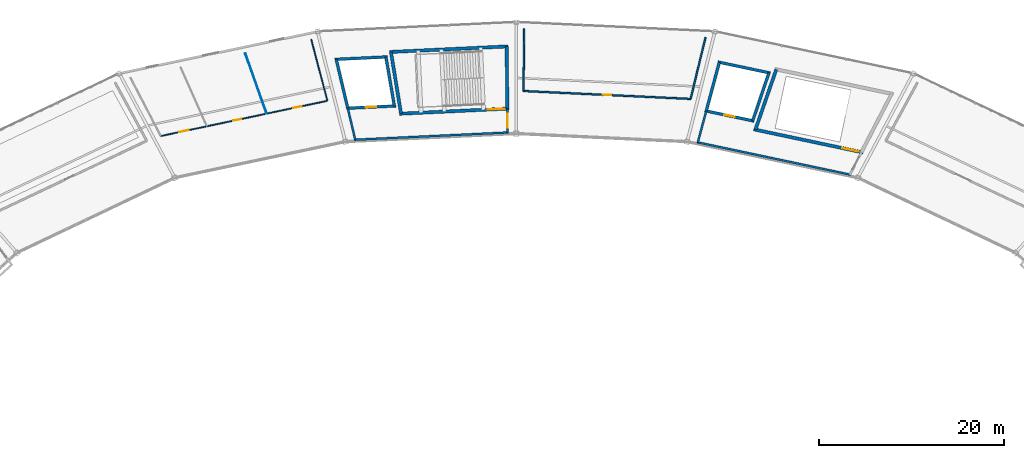
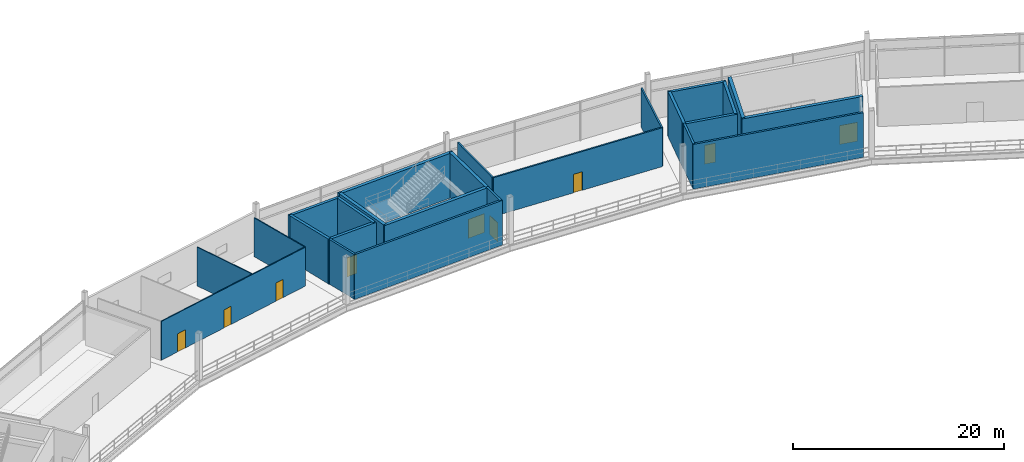
# One storey, part 77 of 103: 25 walls, 9 doors, 9 openings.
"""IFC4 building model written with IfcOpenShell, lengths in metres."""

from ifc_helpers import new_model, si_unit, direction, frame, frame_2d, origin, place, context, subcontext, project, spatial, rectangle, extrude, material, layer, layer_set, type_object, element, fill, save


model = new_model("IFC4")

# Units and contexts
model_context = context("Model", 3, precision=1e-05, world=origin(), true_north=direction((0.0, 1.0)))
body_context = subcontext(model_context, "Body", "Model", "MODEL_VIEW")
ifc_project = project(units=[si_unit("LENGTHUNIT", "METRE"), si_unit("AREAUNIT", "SQUARE_METRE"), si_unit("VOLUMEUNIT", "CUBIC_METRE"), si_unit("PLANEANGLEUNIT", "RADIAN"), si_unit("MASSUNIT", "GRAM", prefix="KILO")], contexts=[model_context])

# Site, building, storey
site_placement = place(None, origin())
site = spatial("IfcSite", under=ifc_project, at=site_placement, CompositionType="ELEMENT")
building_placement = place(site_placement, origin())
building = spatial("IfcBuilding", under=site, at=building_placement, Name="Kazemori Nagisa Stadium", CompositionType="ELEMENT")
storey_placement = place(building_placement, frame((0.0, 0.0, 25.840087890625)))
storey = spatial("IfcBuildingStorey", under=building, at=storey_placement, Name="L05", CompositionType="ELEMENT", Elevation=25.840087890625)

# Wall, opening, door
ifc_material_1 = material(Name="Concrete C40/50 (Fc42)", Category="concrete")
ifc_layer_1 = layer(ifc_material_1, 0.35009765625, Name="Concrete C40/50 (Fc42)", Category="concrete")
ifc_layer_set_1 = layer_set([ifc_layer_1], Name="Concrete C40/50 (Fc42)")
wall_type_1 = type_object("IfcWallType", Name="Wall_W-CORE-350", PredefinedType="SHEAR", material=ifc_layer_set_1)
wall_1_placement = place(storey_placement, frame((160.399658203125, 173.939697265625, 0.0), z_axis=(0.0, 0.0, 1.0), x_axis=(-0.978345203961, 0.206979858648, 0.0)))
wall_1 = element("IfcWall", 1, at=wall_1_placement, inside=storey, type_object=wall_type_1, Name="Core stair front shear wall ST11 L05", PredefinedType="SHEAR", context=body_context, shape_type="SweptSolid", body=[
    extrude(rectangle(XDim=12.044189453125, YDim=0.35009765625, at=frame_2d((6.02197265625, 0.0))), origin(), (0.0, 0.0, 1.0), 5.179931640625),
])
opening_1_placement = place(wall_1_placement, frame((0.47509765625, 0.0, 0.0)))
opening_1 = element("IfcOpeningElement", 2, at=opening_1_placement, cuts=wall_1, Name="Opening D-ST-1800", PredefinedType="OPENING", context=body_context, shape_type="SweptSolid", body=[
    extrude(rectangle(XDim=1.800048828125, YDim=2.199951171875, at=frame_2d((0.89990234375, 1.10009765625))), frame((0.0, 0.18505859375, 0.0), z_axis=(0.0, -1.0, 0.0), x_axis=(1.0, 0.0, 0.0)), (0.0, 0.0, 1.0), 0.3701171875),
])
ifc_material_2 = material(Name="Galvanised steel sheet", Category="steel")
door_type_1 = type_object("IfcDoorType", Name="Door_D-ST-1800", OperationType="NOTDEFINED", PredefinedType="DOOR", material=ifc_material_2)
door_1_placement = place(opening_1_placement, frame((1.800048828125, 0.0, 0.0), z_axis=(0.0, 0.0, 1.0), x_axis=(-1.0, 0.0, 0.0)))
door_1 = element("IfcDoor", 3, at=door_1_placement, inside=storey, type_object=door_type_1, Name="Exit stair fire door ST11-L05", OperationType="SINGLE_SWING_LEFT", OverallHeight=2.199951171875, OverallWidth=1.800048828125, PredefinedType="DOOR", context=body_context, shape_type="SweptSolid", body=[
    extrude(rectangle(XDim=1.800048828125, YDim=2.199951171875, at=frame_2d((0.89990234375, 1.10009765625))), frame((0.0, 0.02490234375, 0.0), z_axis=(0.0, -1.0, 0.0), x_axis=(1.0, 0.0, 0.0)), (0.0, 0.0, 1.0), 0.050048828125),
])
fill(opening_1, door_1)

# Wall
wall_2_placement = place(storey_placement, frame((148.787353515625, 176.396240234375, 0.0), z_axis=(0.0, 0.0, 1.0), x_axis=(0.327491724385, 0.944854047173, 0.0)))
element("IfcWall", 4, at=wall_2_placement, inside=storey, type_object=wall_type_1, Name="Core stair right shear wall ST11 L05", PredefinedType="SHEAR", context=body_context, shape_type="SweptSolid", body=[
    extrude(rectangle(XDim=6.88525390625, YDim=0.35009765625, at=frame_2d((3.442626953125, 0.0))), origin(), (0.0, 0.0, 1.0), 5.179931640625),
])

# Wall, opening, door
wall_3_placement = place(storey_placement, frame((122.218994140625, 178.675048828125, 0.0), z_axis=(0.0, 0.0, 1.0), x_axis=(-0.998883770468, -0.04723571843, 0.0)))
wall_3 = element("IfcWall", 5, at=wall_3_placement, inside=storey, type_object=wall_type_1, Name="Core stair front shear wall ST05 L05", PredefinedType="SHEAR", context=body_context, shape_type="SweptSolid", body=[
    extrude(rectangle(XDim=11.830810546875, YDim=0.35009765625, at=frame_2d((5.91552734375, 0.0))), origin(), (0.0, 0.0, 1.0), 5.179931640625),
])
opening_2_placement = place(wall_3_placement, frame((0.47509765625, 0.0, 0.0)))
opening_2 = element("IfcOpeningElement", 6, at=opening_2_placement, cuts=wall_3, Name="Opening D-ST-1800", PredefinedType="OPENING", context=body_context, shape_type="SweptSolid", body=[
    extrude(rectangle(XDim=1.800048828125, YDim=2.199951171875, at=frame_2d((0.89990234375, 1.10009765625))), frame((0.0, 0.18505859375, 0.0), z_axis=(0.0, -1.0, 0.0), x_axis=(1.0, 0.0, 0.0)), (0.0, 0.0, 1.0), 0.3701171875),
])
door_2_placement = place(opening_2_placement, frame((1.800048828125, 0.0, 0.0), z_axis=(0.0, 0.0, 1.0), x_axis=(-1.0, 0.0, 0.0)))
door_2 = element("IfcDoor", 7, at=door_2_placement, inside=storey, type_object=door_type_1, Name="Exit stair fire door ST05-L05", OperationType="SINGLE_SWING_RIGHT", OverallHeight=2.199951171875, OverallWidth=1.800048828125, PredefinedType="DOOR", context=body_context, shape_type="SweptSolid", body=[
    extrude(rectangle(XDim=1.800048828125, YDim=2.199951171875, at=frame_2d((0.89990234375, 1.10009765625))), frame((0.0, 0.02490234375, 0.0), z_axis=(0.0, -1.0, 0.0), x_axis=(1.0, 0.0, 0.0)), (0.0, 0.0, 1.0), 0.050048828125),
])
fill(opening_2, door_2)

# Walls
wall_4_placement = place(storey_placement, frame((122.135498046875, 185.379150390625, 0.0), z_axis=(0.0, 0.0, 1.0), x_axis=(-0.998884004857, -0.047230761603, 0.0)))
element("IfcWall", 8, at=wall_4_placement, inside=storey, type_object=wall_type_1, Name="Core stair rear shear wall ST05 L05", PredefinedType="SHEAR", context=body_context, shape_type="SweptSolid", body=[
    extrude(rectangle(XDim=12.8349609375, YDim=0.35009765625, at=frame_2d((6.41748046875, 0.0))), origin(), (0.0, 0.0, 1.0), 5.179931640625),
])
wall_5_placement = place(storey_placement, frame((122.04443359375, 178.666748046875, 0.0), z_axis=(0.0, 0.0, 1.0), x_axis=(-0.012489921532, 0.999921997888, 0.0)))
element("IfcWall", 9, at=wall_5_placement, inside=storey, type_object=wall_type_1, Name="Core stair left shear wall ST05 L05", PredefinedType="SHEAR", context=body_context, shape_type="SweptSolid", body=[
    extrude(rectangle(XDim=6.70458984375, YDim=0.35009765625, at=frame_2d((3.352294921875, 0.0))), origin(), (0.0, 0.0, 1.0), 5.179931640625),
])
wall_6_placement = place(storey_placement, frame((110.576171875, 178.12451171875, 0.0), z_axis=(0.0, 0.0, 1.0), x_axis=(-0.161075775241, 0.986942042184, 0.0)))
element("IfcWall", 10, at=wall_6_placement, inside=storey, type_object=wall_type_1, Name="Core stair right shear wall ST05 L05", PredefinedType="SHEAR", context=body_context, shape_type="SweptSolid", body=[
    extrude(rectangle(XDim=6.744873046875, YDim=0.35009765625, at=frame_2d((3.37255859375, 0.0))), origin(), (0.0, 0.0, 1.0), 5.179931640625),
])
ifc_material_3 = material(Name="Concrete C36/45 (Fc36)", Category="concrete")
ifc_layer_2 = layer(ifc_material_3, 0.219970703125, Name="Concrete C36/45 (Fc36)", Category="concrete")
ifc_layer_set_2 = layer_set([ifc_layer_2], Name="Concrete C36/45 (Fc36)")
wall_type_2 = type_object("IfcWallType", Name="Wall_W-LOBBY-220", PredefinedType="SOLIDWALL", material=ifc_layer_set_2)
wall_7_placement = place(storey_placement, frame((159.083984375, 171.5322265625, 0.0), z_axis=(0.0, 0.0, 1.0), x_axis=(-0.978342313718, 0.206993519678, 0.0)))
element("IfcWall", 11, at=wall_7_placement, inside=storey, type_object=wall_type_2, Name="Core lobby fire wall ST11 L05", PredefinedType="SOLIDWALL", context=body_context, shape_type="SweptSolid", body=[
    extrude(rectangle(XDim=16.983154296875, YDim=0.219970703125, at=frame_2d((8.49169921875, 0.0))), origin(), (0.0, 0.0, 1.0), 5.179931640625),
])
wall_8_placement = place(storey_placement, frame((142.576171875, 175.024658203125, 0.0), z_axis=(0.0, 0.0, 1.0), x_axis=(0.258940146037, 0.965893369255, 0.0)))
element("IfcWall", 12, at=wall_8_placement, inside=storey, type_object=wall_type_2, Name="Core lobby right wall ST11 L05", PredefinedType="SOLIDWALL", context=body_context, shape_type="SweptSolid", body=[
    extrude(rectangle(XDim=3.50830078125, YDim=0.219970703125, at=frame_2d((1.754150390625, 0.0))), origin(), (0.0, 0.0, 1.0), 5.179931640625),
])
wall_9_placement = place(storey_placement, frame((122.186279296875, 176.093505859375, 0.0), z_axis=(0.0, 0.0, 1.0), x_axis=(-0.998884242682, -0.047225731555, 0.0)))
element("IfcWall", 13, at=wall_9_placement, inside=storey, type_object=wall_type_2, Name="Core lobby fire wall ST05 L05", PredefinedType="SOLIDWALL", context=body_context, shape_type="SweptSolid", body=[
    extrude(rectangle(XDim=16.67724609375, YDim=0.219970703125, at=frame_2d((8.338623046875, 0.0))), origin(), (0.0, 0.0, 1.0), 5.179931640625),
])

# Wall, opening, door
wall_10_placement = place(storey_placement, frame((122.076416015625, 176.08837890625, 0.0), z_axis=(0.0, 0.0, 1.0), x_axis=(-0.012403174243, 0.999923077676, 0.0)))
wall_10 = element("IfcWall", 14, at=wall_10_placement, inside=storey, type_object=wall_type_2, Name="Core lobby left wall ST05 L05", PredefinedType="SOLIDWALL", context=body_context, shape_type="SweptSolid", body=[
    extrude(rectangle(XDim=2.57861328125, YDim=0.219970703125, at=frame_2d((1.289306640625, 0.0))), origin(), (0.0, 0.0, 1.0), 5.179931640625),
])
opening_3_placement = place(wall_10_placement, frame((0.5390625, 0.0, 0.0)))
opening_3 = element("IfcOpeningElement", 15, at=opening_3_placement, cuts=wall_10, Name="Opening D-FFL-1500", PredefinedType="OPENING", context=body_context, shape_type="SweptSolid", body=[
    extrude(rectangle(XDim=1.5, YDim=2.199951171875, at=frame_2d((0.75, 1.10009765625))), frame((0.0, 0.119873046875, 0.0), z_axis=(0.0, -1.0, 0.0), x_axis=(1.0, 0.0, 0.0)), (0.0, 0.0, 1.0), 0.239990234375),
])
door_type_2 = type_object("IfcDoorType", Name="Door_D-FFL-1500", OperationType="NOTDEFINED", PredefinedType="DOOR", material=ifc_material_2)
door_3_placement = place(opening_3_placement, frame((1.5, 0.0, 0.0), z_axis=(0.0, 0.0, 1.0), x_axis=(-1.0, 0.0, 0.0)))
door_3 = element("IfcDoor", 16, at=door_3_placement, inside=storey, type_object=door_type_2, Name="Protected lobby fire door ST05-L05", OperationType="DOUBLE_DOOR_SINGLE_SWING", OverallHeight=2.199951171875, OverallWidth=1.5, PredefinedType="DOOR", context=body_context, shape_type="SweptSolid", body=[
    extrude(rectangle(XDim=1.5, YDim=2.199951171875, at=frame_2d((0.75, 1.10009765625))), frame((0.0, 0.02490234375, 0.0), z_axis=(0.0, -1.0, 0.0), x_axis=(1.0, 0.0, 0.0)), (0.0, 0.0, 1.0), 0.050048828125),
])
fill(opening_3, door_3)

# Walls
wall_11_placement = place(storey_placement, frame((105.6376953125, 175.31103515625, 0.0), z_axis=(0.0, 0.0, 1.0), x_axis=(-0.230522067539, 0.973067097572, 0.0)))
element("IfcWall", 17, at=wall_11_placement, inside=storey, type_object=wall_type_2, Name="Core lobby right wall ST05 L05", PredefinedType="SOLIDWALL", context=body_context, shape_type="SweptSolid", body=[
    extrude(rectangle(XDim=3.49609375, YDim=0.219970703125, at=frame_2d((1.748046875, 0.0))), origin(), (0.0, 0.0, 1.0), 5.179931640625),
])
ifc_material_4 = material(Name="High-pressure phenolic compact laminate", Category="gypsum")
ifc_layer_3 = layer(ifc_material_4, 0.10009765625, Name="High-pressure phenolic compact laminate", Category="gypsum")
ifc_layer_set_3 = layer_set([ifc_layer_3], Name="High-pressure phenolic compact laminate")
wall_type_3 = type_object("IfcWallType", Name="Wall_W-PART-100", PredefinedType="PARTITIONING", material=ifc_layer_set_3)
wall_12_placement = place(storey_placement, frame((96.090576171875, 178.12841796875, 0.0), z_axis=(0.0, 0.0, 1.0), x_axis=(-0.333300083863, 0.942820796385, 0.0)))
element("IfcWall", 18, at=wall_12_placement, inside=storey, type_object=wall_type_3, Name="Sanitary divider partition L05-B09-1", PredefinedType="PARTITIONING", context=body_context, shape_type="SweptSolid", body=[
    extrude(rectangle(XDim=6.890625, YDim=0.10009765625, at=frame_2d((3.4453125, 0.0))), origin(), (0.0, 0.0, 1.0), 4.5),
])

# Wall, openings, doors
ifc_material_5 = material(Name="Moisture-resistant gypsum board", Category="gypsum")
ifc_layer_4 = layer(ifc_material_5, 0.114990234375, Name="Moisture-resistant gypsum board", Category="gypsum")
ifc_layer_set_4 = layer_set([ifc_layer_4], Name="Moisture-resistant gypsum board")
wall_type_4 = type_object("IfcWallType", Name="Wall_W-PART-115", PredefinedType="PARTITIONING", material=ifc_layer_set_4)
wall_13_placement = place(storey_placement, frame((102.633544921875, 179.5126953125, 0.0), z_axis=(0.0, 0.0, 1.0), x_axis=(-0.978344735835, -0.20698207136, 0.0)))
wall_13 = element("IfcWall", 19, at=wall_13_placement, inside=storey, type_object=wall_type_4, Name="Sanitary block corridor partition L05-B09", PredefinedType="PARTITIONING", context=body_context, shape_type="SweptSolid", body=[
    extrude(rectangle(XDim=18.37353515625, YDim=0.114990234375, at=frame_2d((9.186767578125, 0.0))), origin(), (0.0, 0.0, 1.0), 4.5),
])
opening_4_placement = place(wall_13_placement, frame((2.85693359375, 0.0, 0.0)))
opening_4 = element("IfcOpeningElement", 20, at=opening_4_placement, cuts=wall_13, Name="Opening D-WC-900", PredefinedType="OPENING", context=body_context, shape_type="SweptSolid", body=[
    extrude(rectangle(XDim=0.89990234375, YDim=2.10009765625, at=frame_2d((0.449951171875, 1.050048828125))), frame((0.0, 0.0673828125, 0.0), z_axis=(0.0, -1.0, 0.0), x_axis=(1.0, 0.0, 0.0)), (0.0, 0.0, 1.0), 0.135009765625),
])
opening_5_placement = place(wall_13_placement, frame((9.471923828125, 0.0, 0.0)))
opening_5 = element("IfcOpeningElement", 21, at=opening_5_placement, cuts=wall_13, Name="Opening D-WC-900", PredefinedType="OPENING", context=body_context, shape_type="SweptSolid", body=[
    extrude(rectangle(XDim=0.89990234375, YDim=2.10009765625, at=frame_2d((0.449951171875, 1.050048828125))), frame((0.0, 0.0673828125, 0.0), z_axis=(0.0, -1.0, 0.0), x_axis=(1.0, 0.0, 0.0)), (0.0, 0.0, 1.0), 0.135009765625),
])
opening_6_placement = place(wall_13_placement, frame((15.27587890625, 0.0, 0.0)))
opening_6 = element("IfcOpeningElement", 22, at=opening_6_placement, cuts=wall_13, Name="Opening D-AWC-1050", PredefinedType="OPENING", context=body_context, shape_type="SweptSolid", body=[
    extrude(rectangle(XDim=1.050048828125, YDim=2.10009765625, at=frame_2d((0.52490234375, 1.050048828125))), frame((0.0, 0.0673828125, 0.0), z_axis=(0.0, -1.0, 0.0), x_axis=(1.0, 0.0, 0.0)), (0.0, 0.0, 1.0), 0.135009765625),
])
ifc_material_6 = material(Name="High-pressure laminate on timber core", Category="wood")
door_type_3 = type_object("IfcDoorType", Name="Door_D-AWC-1050", OperationType="NOTDEFINED", PredefinedType="DOOR", material=ifc_material_6)
door_4_placement = place(opening_6_placement, origin())
door_4 = element("IfcDoor", 23, at=door_4_placement, inside=storey, type_object=door_type_3, Name="AWC entrance door L05-B09", OperationType="SINGLE_SWING_RIGHT", OverallHeight=2.10009765625, OverallWidth=1.050048828125, PredefinedType="DOOR", context=body_context, shape_type="SweptSolid", body=[
    extrude(rectangle(XDim=1.050048828125, YDim=2.10009765625, at=frame_2d((0.52490234375, 1.050048828125))), frame((0.0, 0.02490234375, 0.0), z_axis=(0.0, -1.0, 0.0), x_axis=(1.0, 0.0, 0.0)), (0.0, 0.0, 1.0), 0.050048828125),
])
fill(opening_6, door_4)
door_type_4 = type_object("IfcDoorType", Name="Door_D-WC-900", OperationType="NOTDEFINED", PredefinedType="DOOR", material=ifc_material_6)
door_5_placement = place(opening_4_placement, origin())
door_5 = element("IfcDoor", 24, at=door_5_placement, inside=storey, type_object=door_type_4, Name="MWC entrance door L05-B09", OperationType="SINGLE_SWING_RIGHT", OverallHeight=2.10009765625, OverallWidth=0.89990234375, PredefinedType="DOOR", context=body_context, shape_type="SweptSolid", body=[
    extrude(rectangle(XDim=0.89990234375, YDim=2.10009765625, at=frame_2d((0.449951171875, 1.050048828125))), frame((0.0, 0.02490234375, 0.0), z_axis=(0.0, -1.0, 0.0), x_axis=(1.0, 0.0, 0.0)), (0.0, 0.0, 1.0), 0.050048828125),
])
fill(opening_4, door_5)
door_6_placement = place(opening_5_placement, origin())
door_6 = element("IfcDoor", 25, at=door_6_placement, inside=storey, type_object=door_type_4, Name="FWC entrance door L05-B09", OperationType="SINGLE_SWING_LEFT", OverallHeight=2.10009765625, OverallWidth=0.89990234375, PredefinedType="DOOR", context=body_context, shape_type="SweptSolid", body=[
    extrude(rectangle(XDim=0.89990234375, YDim=2.10009765625, at=frame_2d((0.449951171875, 1.050048828125))), frame((0.0, 0.02490234375, 0.0), z_axis=(0.0, -1.0, 0.0), x_axis=(1.0, 0.0, 0.0)), (0.0, 0.0, 1.0), 0.050048828125),
])
fill(opening_5, door_6)

# Wall
wall_14_placement = place(storey_placement, frame((102.633544921875, 179.5126953125, 0.0), z_axis=(0.0, 0.0, 1.0), x_axis=(-0.254126047026, 0.967171108038, 0.0)))
element("IfcWall", 26, at=wall_14_placement, inside=storey, type_object=wall_type_4, Name="Sanitary block L partition L05-B09", PredefinedType="PARTITIONING", context=body_context, shape_type="SweptSolid", body=[
    extrude(rectangle(XDim=6.83935546875, YDim=0.114990234375, at=frame_2d((3.419677734375, 0.0))), origin(), (0.0, 0.0, 1.0), 4.5),
])

# Wall, opening, door
ifc_material_7 = material(Name="Gypsum plasterboard", Category="gypsum")
ifc_layer_5 = layer(ifc_material_7, 0.1650390625, Name="Gypsum plasterboard", Category="gypsum")
ifc_layer_set_5 = layer_set([ifc_layer_5], Name="Gypsum plasterboard")
wall_type_5 = type_object("IfcWallType", Name="Wall_W-PART-165", PredefinedType="PARTITIONING", material=ifc_layer_set_5)
wall_15_placement = place(storey_placement, frame((141.801513671875, 179.715087890625, 0.0), z_axis=(0.0, 0.0, 1.0), x_axis=(-0.998884400119, 0.047222401453, 0.0)))
wall_15 = element("IfcWall", 27, at=wall_15_placement, inside=storey, type_object=wall_type_5, Name="Room corridor partition L05-B07", PredefinedType="PARTITIONING", context=body_context, shape_type="SweptSolid", body=[
    extrude(rectangle(XDim=18.0380859375, YDim=0.1650390625, at=frame_2d((9.01904296875, 0.0))), origin(), (0.0, 0.0, 1.0), 4.5),
])
opening_7_placement = place(wall_15_placement, frame((8.5439453125, 0.0, 0.0)))
opening_7 = element("IfcOpeningElement", 28, at=opening_7_placement, cuts=wall_15, Name="Opening D-OFF-950", PredefinedType="OPENING", context=body_context, shape_type="SweptSolid", body=[
    extrude(rectangle(XDim=0.949951171875, YDim=2.14990234375, at=frame_2d((0.47509765625, 1.074951171875))), frame((0.0, 0.092529296875, 0.0), z_axis=(0.0, -1.0, 0.0), x_axis=(1.0, 0.0, 0.0)), (0.0, 0.0, 1.0), 0.18505859375),
])
ifc_material_8 = material(Name="Oak timber veneer", Category="wood")
door_type_5 = type_object("IfcDoorType", Name="Door_D-OFF-950", OperationType="NOTDEFINED", PredefinedType="DOOR", material=ifc_material_8)
door_7_placement = place(opening_7_placement, origin())
door_7 = element("IfcDoor", 29, at=door_7_placement, inside=storey, type_object=door_type_5, Name="Room entrance door D-OFF-950 L05-B07", OperationType="SINGLE_SWING_LEFT", OverallHeight=2.14990234375, OverallWidth=0.949951171875, PredefinedType="DOOR", context=body_context, shape_type="SweptSolid", body=[
    extrude(rectangle(XDim=0.949951171875, YDim=2.14990234375, at=frame_2d((0.47509765625, 1.074951171875))), frame((0.0, 0.02490234375, 0.0), z_axis=(0.0, -1.0, 0.0), x_axis=(1.0, 0.0, 0.0)), (0.0, 0.0, 1.0), 0.050048828125),
])
fill(opening_7, door_7)

# Walls
wall_16_placement = place(storey_placement, frame((141.801513671875, 179.715087890625, 0.0), z_axis=(0.0, 0.0, 1.0), x_axis=(0.235145319277, 0.971960224918, 0.0)))
element("IfcWall", 30, at=wall_16_placement, inside=storey, type_object=wall_type_5, Name="Room radial partition L05-B07-L", PredefinedType="PARTITIONING", context=body_context, shape_type="SweptSolid", body=[
    extrude(rectangle(XDim=6.823486328125, YDim=0.1650390625, at=frame_2d((3.41162109375, 0.0))), origin(), (0.0, 0.0, 1.0), 4.5),
])
wall_17_placement = place(storey_placement, frame((123.783447265625, 180.56689453125, 0.0), z_axis=(0.0, 0.0, 1.0), x_axis=(0.009976563515, 0.999950232852, 0.0)))
element("IfcWall", 31, at=wall_17_placement, inside=storey, type_object=wall_type_5, Name="Room radial partition L05-B07-R", PredefinedType="PARTITIONING", context=body_context, shape_type="SweptSolid", body=[
    extrude(rectangle(XDim=6.705078125, YDim=0.1650390625, at=frame_2d((3.3525390625, 0.0))), origin(), (0.0, 0.0, 1.0), 4.5),
])

# Wall, opening, door
ifc_layer_6 = layer(ifc_material_1, 0.300048828125, Name="Concrete C40/50 (Fc42)", Category="concrete")
ifc_layer_set_6 = layer_set([ifc_layer_6], Name="Concrete C40/50 (Fc42)")
wall_type_6 = type_object("IfcWallType", Name="Wall_W-SHAFT-300", PredefinedType="SHEAR", material=ifc_layer_set_6)
wall_18_placement = place(storey_placement, frame((148.644775390625, 177.32177734375, 0.0), z_axis=(0.0, 0.0, 1.0), x_axis=(-0.978351630878, 0.206949477793, 0.0)))
wall_18 = element("IfcWall", 32, at=wall_18_placement, inside=storey, type_object=wall_type_6, Name="Lift shaft front wall LP3 L05", PredefinedType="SHEAR", context=body_context, shape_type="SweptSolid", body=[
    extrude(rectangle(XDim=5.42431640625, YDim=0.300048828125, at=frame_2d((2.712158203125, 0.0))), origin(), (0.0, 0.0, 1.0), 5.179931640625),
])
opening_8_placement = place(wall_18_placement, frame((2.162109375, 0.0, 0.0)))
opening_8 = element("IfcOpeningElement", 33, at=opening_8_placement, cuts=wall_18, Name="Opening LD-PAX", PredefinedType="OPENING", context=body_context, shape_type="SweptSolid", body=[
    extrude(rectangle(XDim=1.10009765625, YDim=2.199951171875, at=frame_2d((0.550048828125, 1.10009765625))), frame((0.0, 0.159912109375, 0.0), z_axis=(0.0, -1.0, 0.0), x_axis=(1.0, 0.0, 0.0)), (0.0, 0.0, 1.0), 0.320068359375),
])
ifc_material_9 = material(Name="Stainless steel SUS304", Category="steel")
door_type_6 = type_object("IfcDoorType", Name="Door_LD-PAX", OperationType="SLIDING_TO_RIGHT", PredefinedType="DOOR", material=ifc_material_9)
door_8_placement = place(opening_8_placement, origin())
door_8 = element("IfcDoor", 34, at=door_8_placement, inside=storey, type_object=door_type_6, Name="Lift landing door LP3-L05", OperationType="SLIDING_TO_RIGHT", OverallHeight=2.199951171875, OverallWidth=1.10009765625, PredefinedType="DOOR", context=body_context, shape_type="SweptSolid", body=[
    extrude(rectangle(XDim=1.10009765625, YDim=2.199951171875, at=frame_2d((0.550048828125, 1.10009765625))), frame((0.0, 0.02490234375, 0.0), z_axis=(0.0, -1.0, 0.0), x_axis=(1.0, 0.0, 0.0)), (0.0, 0.0, 1.0), 0.050048828125),
])
fill(opening_8, door_8)

# Walls
wall_19_placement = place(storey_placement, frame((150.3974609375, 182.501220703125, 0.0), z_axis=(0.0, 0.0, 1.0), x_axis=(-0.978347069901, 0.206971038591, 0.0)))
element("IfcWall", 35, at=wall_19_placement, inside=storey, type_object=wall_type_6, Name="Lift shaft B wall LP3 L05", PredefinedType="SHEAR", context=body_context, shape_type="SweptSolid", body=[
    extrude(rectangle(XDim=5.7763671875, YDim=0.300048828125, at=frame_2d((2.88818359375, 0.0))), origin(), (0.0, 0.0, 1.0), 5.179931640625),
])
wall_20_placement = place(storey_placement, frame((148.498046875, 177.352783203125, 0.0), z_axis=(0.0, 0.0, 1.0), x_axis=(0.320537624185, 0.947235784523, 0.0)))
element("IfcWall", 36, at=wall_20_placement, inside=storey, type_object=wall_type_6, Name="Lift shaft L wall LP3 L05", PredefinedType="SHEAR", context=body_context, shape_type="SweptSolid", body=[
    extrude(rectangle(XDim=5.468017578125, YDim=0.300048828125, at=frame_2d((2.73388671875, 0.0))), origin(), (0.0, 0.0, 1.0), 5.179931640625),
])
wall_21_placement = place(storey_placement, frame((143.484619140625, 178.413330078125, 0.0), z_axis=(0.0, 0.0, 1.0), x_axis=(0.258958994481, 0.965888316099, 0.0)))
element("IfcWall", 37, at=wall_21_placement, inside=storey, type_object=wall_type_6, Name="Lift shaft R wall LP3 L05", PredefinedType="SHEAR", context=body_context, shape_type="SweptSolid", body=[
    extrude(rectangle(XDim=5.43798828125, YDim=0.300048828125, at=frame_2d((2.718994140625, 0.0))), origin(), (0.0, 0.0, 1.0), 5.179931640625),
])

# Wall, opening, door
wall_22_placement = place(storey_placement, frame((110.007080078125, 178.95751953125, 0.0), z_axis=(0.0, 0.0, 1.0), x_axis=(-0.998884655258, -0.047217004244, 0.0)))
wall_22 = element("IfcWall", 38, at=wall_22_placement, inside=storey, type_object=wall_type_6, Name="Lift shaft front wall LP1 L05", PredefinedType="SHEAR", context=body_context, shape_type="SweptSolid", body=[
    extrude(rectangle(XDim=5.330810546875, YDim=0.300048828125, at=frame_2d((2.66552734375, 0.0))), origin(), (0.0, 0.0, 1.0), 5.179931640625),
])
opening_9_placement = place(wall_22_placement, frame((2.114990234375, 0.0, 0.0)))
opening_9 = element("IfcOpeningElement", 39, at=opening_9_placement, cuts=wall_22, Name="Opening LD-PAX", PredefinedType="OPENING", context=body_context, shape_type="SweptSolid", body=[
    extrude(rectangle(XDim=1.10009765625, YDim=2.199951171875, at=frame_2d((0.550048828125, 1.10009765625))), frame((0.0, 0.159912109375, 0.0), z_axis=(0.0, -1.0, 0.0), x_axis=(1.0, 0.0, 0.0)), (0.0, 0.0, 1.0), 0.320068359375),
])
door_9_placement = place(opening_9_placement, origin())
door_9 = element("IfcDoor", 40, at=door_9_placement, inside=storey, type_object=door_type_6, Name="Lift landing door LP1-L05", OperationType="SLIDING_TO_RIGHT", OverallHeight=2.199951171875, OverallWidth=1.10009765625, PredefinedType="DOOR", context=body_context, shape_type="SweptSolid", body=[
    extrude(rectangle(XDim=1.10009765625, YDim=2.199951171875, at=frame_2d((0.550048828125, 1.10009765625))), frame((0.0, 0.02490234375, 0.0), z_axis=(0.0, -1.0, 0.0), x_axis=(1.0, 0.0, 0.0)), (0.0, 0.0, 1.0), 0.050048828125),
])
fill(opening_9, door_9)

# Walls
wall_23_placement = place(storey_placement, frame((109.103515625, 184.246826171875, 0.0), z_axis=(0.0, 0.0, 1.0), x_axis=(-0.998884329444, -0.047223896393, 0.0)))
element("IfcWall", 41, at=wall_23_placement, inside=storey, type_object=wall_type_6, Name="Lift shaft B wall LP1 L05", PredefinedType="SHEAR", context=body_context, shape_type="SweptSolid", body=[
    extrude(rectangle(XDim=5.676513671875, YDim=0.300048828125, at=frame_2d((2.83837890625, 0.0))), origin(), (0.0, 0.0, 1.0), 5.179931640625),
])
wall_24_placement = place(storey_placement, frame((109.857177734375, 178.95068359375, 0.0), z_axis=(0.0, 0.0, 1.0), x_axis=(-0.168396746868, 0.985719298606, 0.0)))
element("IfcWall", 42, at=wall_24_placement, inside=storey, type_object=wall_type_6, Name="Lift shaft L wall LP1 L05", PredefinedType="SHEAR", context=body_context, shape_type="SweptSolid", body=[
    extrude(rectangle(XDim=5.36572265625, YDim=0.300048828125, at=frame_2d((2.682861328125, 0.0))), origin(), (0.0, 0.0, 1.0), 5.179931640625),
])
wall_25_placement = place(storey_placement, frame((104.831787109375, 178.712890625, 0.0), z_axis=(0.0, 0.0, 1.0), x_axis=(-0.230452911873, 0.97308347813, 0.0)))
element("IfcWall", 43, at=wall_25_placement, inside=storey, type_object=wall_type_6, Name="Lift shaft R wall LP1 L05", PredefinedType="SHEAR", context=body_context, shape_type="SweptSolid", body=[
    extrude(rectangle(XDim=5.418701171875, YDim=0.300048828125, at=frame_2d((2.70947265625, 0.0))), origin(), (0.0, 0.0, 1.0), 5.179931640625),
])

save(model, "model.ifc")
